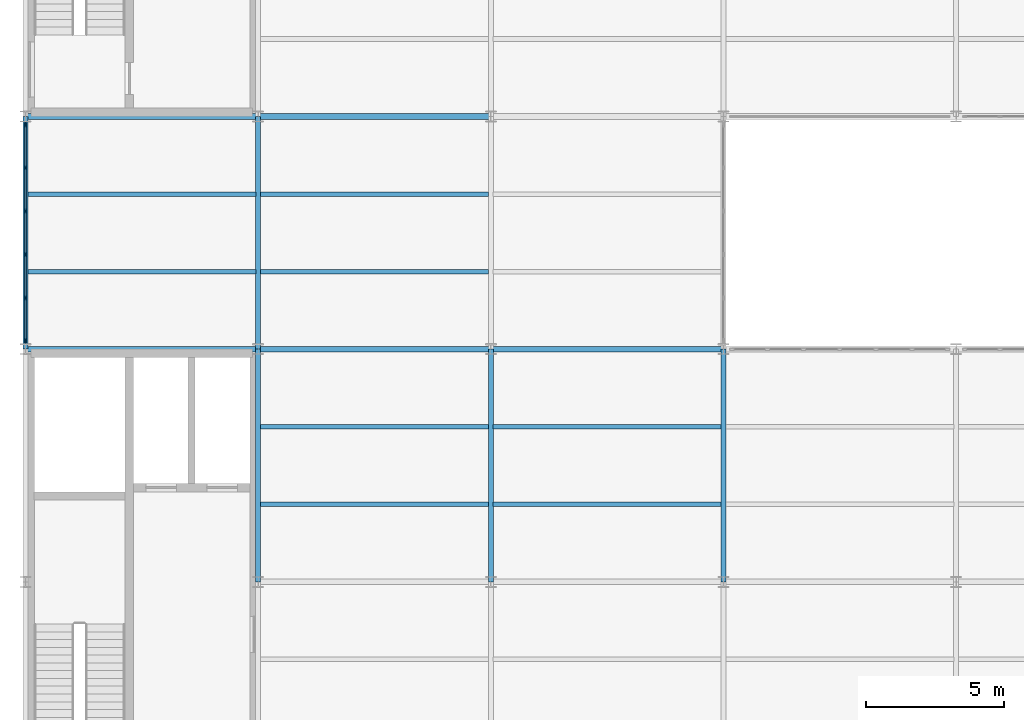
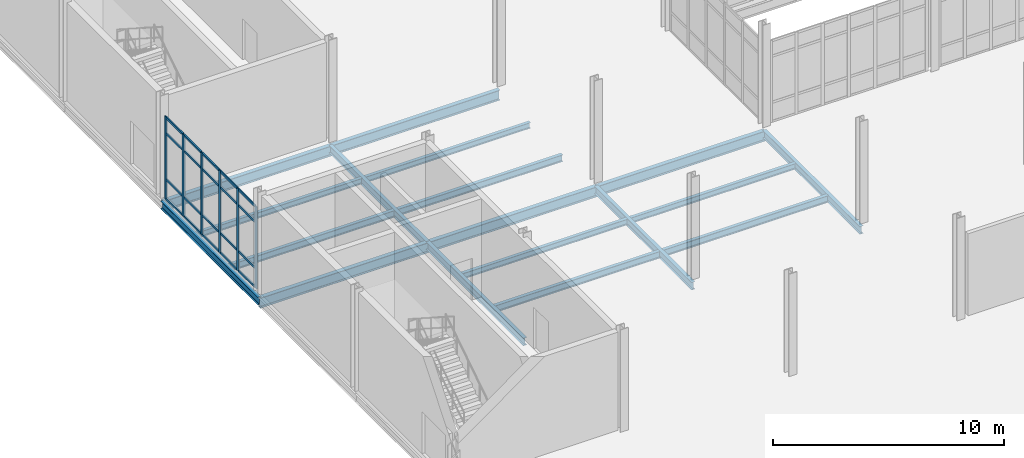
# One storey, part 29 of 111: 26 members, 18 beams, 1 element without a shape of its own.
"""IFC4 building model written with IfcOpenShell, lengths in metres."""

from ifc_helpers import new_model, si_unit, direction, frame, origin, origin_2d, place, context, subcontext, project, spatial, rectangle, i_section, extrude, material, layer, layer_set, material_profile, profile_set, type_object, element, aggregate, save


model = new_model("IFC4")

# Units and contexts
model_context = context("Model", 3, precision=1e-05, world=origin(), true_north=direction((0.0, 1.0)))
body_context = subcontext(model_context, "Body", "Model", "MODEL_VIEW")
ifc_project = project(units=[si_unit("LENGTHUNIT", "METRE"), si_unit("AREAUNIT", "SQUARE_METRE"), si_unit("VOLUMEUNIT", "CUBIC_METRE"), si_unit("PLANEANGLEUNIT", "RADIAN"), si_unit("MASSUNIT", "GRAM", prefix="KILO"), si_unit("THERMODYNAMICTEMPERATUREUNIT", "KELVIN"), si_unit("POWERUNIT", "WATT")], contexts=[model_context])

# Site, building, storey
site_placement = place(None, origin())
site = spatial("IfcSite", under=ifc_project, at=site_placement, CompositionType="ELEMENT")
building_placement = place(site_placement, origin())
building = spatial("IfcBuilding", under=site, at=building_placement, Name="Tembeka Court Mobility Hub", CompositionType="ELEMENT")
storey_placement = place(building_placement, origin())
storey = spatial("IfcBuildingStorey", under=building, at=storey_placement, Name="L00", CompositionType="ELEMENT", Elevation=0.0)

# Beams
ifc_material_1 = material(Name="Steel S355", Category="steel")
ifc_material_profile_1 = material_profile(ifc_material_1, i_section(OverallWidth=0.177978515625, OverallDepth=0.406005859375, WebThickness=0.0078125, FlangeThickness=0.0126953125, FilletRadius=0.01025390625, at=origin_2d()), Name="UKB 406x178x60")
ifc_profile_set_1 = profile_set([ifc_material_profile_1], Name="Steel S355")
beam_type_1 = type_object("IfcBeamType", Name="BM-B02", PredefinedType="BEAM", material=ifc_profile_set_1)
beam_1_placement = place(storey_placement, frame((0.0, 55.199951171875, -0.48291015625), z_axis=(0.0, 1.0, 0.0), x_axis=(-1.0, 0.0, 0.0)))
element("IfcBeam", 1, at=beam_1_placement, inside=storey, type_object=beam_type_1, Name="Beam B02 (BM-L00-Y0169)", PredefinedType="BEAM", context=body_context, shape_type="SweptSolid", body=[
    extrude(i_section(OverallWidth=0.177978515625, OverallDepth=0.406005859375, WebThickness=0.0078125, FlangeThickness=0.0126953125, FilletRadius=0.01025390625, at=origin_2d()), origin(), (0.0, 0.0, 1.0), 8.400146484375),
])
beam_2_placement = place(storey_placement, frame((8.39990234375, 46.800048828125, -0.48291015625), z_axis=(0.0, 1.0, 0.0), x_axis=(-1.0, 0.0, 0.0)))
element("IfcBeam", 2, at=beam_2_placement, inside=storey, type_object=beam_type_1, Name="Beam B02 (BM-L00-Y0179)", PredefinedType="BEAM", context=body_context, shape_type="SweptSolid", body=[
    extrude(i_section(OverallWidth=0.177978515625, OverallDepth=0.406005859375, WebThickness=0.0078125, FlangeThickness=0.0126953125, FilletRadius=0.01025390625, at=origin_2d()), origin(), (0.0, 0.0, 1.0), 8.39990234375),
])
beam_3_placement = place(storey_placement, frame((8.39990234375, 55.199951171875, -0.48291015625), z_axis=(0.0, 1.0, 0.0), x_axis=(-1.0, 0.0, 0.0)))
element("IfcBeam", 3, at=beam_3_placement, inside=storey, type_object=beam_type_1, Name="Beam B02 (BM-L00-Y0180)", PredefinedType="BEAM", context=body_context, shape_type="SweptSolid", body=[
    extrude(i_section(OverallWidth=0.177978515625, OverallDepth=0.406005859375, WebThickness=0.0078125, FlangeThickness=0.0126953125, FilletRadius=0.01025390625, at=origin_2d()), origin(), (0.0, 0.0, 1.0), 8.400146484375),
])
for number, where, z_axis, x_axis, name in (
    (4, (16.800048828125, 46.800048828125, -0.48291015625), (0.0, 1.0, 0.0), (-1.0, 0.0, 0.0), "Beam B02 (BM-L00-Y0190)"),
    (5, (25.199951171875, 46.800048828125, -0.48291015625), (0.0, 1.0, 0.0), (-1.0, 0.0, 0.0), "Beam B02 (BM-L00-Y0199)"),
):
    element("IfcBeam", number, at=place(storey_placement, frame(where, z_axis=z_axis, x_axis=x_axis)), inside=storey, type_object=beam_type_1, Name=name, PredefinedType="BEAM", context=body_context, shape_type="SweptSolid", body=[
        extrude(i_section(OverallWidth=0.177978515625, OverallDepth=0.406005859375, WebThickness=0.0078125, FlangeThickness=0.0126953125, FilletRadius=0.01025390625, at=origin_2d()), origin(), (0.0, 0.0, 1.0), 8.39990234375),
    ])
ifc_material_profile_2 = material_profile(ifc_material_1, i_section(OverallWidth=0.2099609375, OverallDepth=0.537109375, WebThickness=0.0107421875, FlangeThickness=0.017333984375, FilletRadius=0.0126953125, at=origin_2d()), Name="UKB 533x210x101")
ifc_profile_set_2 = profile_set([ifc_material_profile_2], Name="Steel S355")
beam_type_2 = type_object("IfcBeamType", Name="BM-G03", PredefinedType="USERDEFINED", material=ifc_profile_set_2)
beam_4_placement = place(storey_placement, frame((0.0, 55.199951171875, -0.548583984375), z_axis=(1.0, 0.0, 0.0), x_axis=(0.0, 1.0, 0.0)))
element("IfcBeam", 6, at=beam_4_placement, inside=storey, type_object=beam_type_2, Name="Beam G03 (BM-L00-X0075)", ObjectType="GIRDER", PredefinedType="USERDEFINED", context=body_context, shape_type="SweptSolid", body=[
    extrude(i_section(OverallWidth=0.2099609375, OverallDepth=0.537109375, WebThickness=0.0107421875, FlangeThickness=0.017333984375, FilletRadius=0.0126953125, at=origin_2d()), origin(), (0.0, 0.0, 1.0), 8.39990234375),
])
beam_5_placement = place(storey_placement, frame((8.39990234375, 55.199951171875, -0.548583984375), z_axis=(1.0, 0.0, 0.0), x_axis=(0.0, 1.0, 0.0)))
element("IfcBeam", 7, at=beam_5_placement, inside=storey, type_object=beam_type_2, Name="Beam G03 (BM-L00-X0076)", ObjectType="GIRDER", PredefinedType="USERDEFINED", context=body_context, shape_type="SweptSolid", body=[
    extrude(i_section(OverallWidth=0.2099609375, OverallDepth=0.537109375, WebThickness=0.0107421875, FlangeThickness=0.017333984375, FilletRadius=0.0126953125, at=origin_2d()), origin(), (0.0, 0.0, 1.0), 8.400146484375),
])
for number, where, z_axis, x_axis, name in (
    (8, (16.800048828125, 55.199951171875, -0.548583984375), (1.0, 0.0, 0.0), (0.0, 1.0, 0.0), "Beam G03 (BM-L00-X0077)"),
    (9, (0.0, 63.60009765625, -0.548583984375), (1.0, 0.0, 0.0), (0.0, 1.0, 0.0), "Beam G03 (BM-L00-X0090)"),
):
    element("IfcBeam", number, at=place(storey_placement, frame(where, z_axis=z_axis, x_axis=x_axis)), inside=storey, type_object=beam_type_2, Name=name, ObjectType="GIRDER", PredefinedType="USERDEFINED", context=body_context, shape_type="SweptSolid", body=[
        extrude(i_section(OverallWidth=0.2099609375, OverallDepth=0.537109375, WebThickness=0.0107421875, FlangeThickness=0.017333984375, FilletRadius=0.0126953125, at=origin_2d()), origin(), (0.0, 0.0, 1.0), 8.39990234375),
    ])
beam_6_placement = place(storey_placement, frame((8.39990234375, 63.60009765625, -0.548583984375), z_axis=(1.0, 0.0, 0.0), x_axis=(0.0, 1.0, 0.0)))
element("IfcBeam", 10, at=beam_6_placement, inside=storey, type_object=beam_type_2, Name="Beam G03 (BM-L00-X0091)", ObjectType="GIRDER", PredefinedType="USERDEFINED", context=body_context, shape_type="SweptSolid", body=[
    extrude(i_section(OverallWidth=0.2099609375, OverallDepth=0.537109375, WebThickness=0.0107421875, FlangeThickness=0.017333984375, FilletRadius=0.0126953125, at=origin_2d()), origin(), (0.0, 0.0, 1.0), 8.400146484375),
])
ifc_material_profile_3 = material_profile(ifc_material_1, i_section(OverallWidth=0.1650390625, OverallDepth=0.303955078125, WebThickness=0.006103515625, FlangeThickness=0.01025390625, FilletRadius=0.0087890625, at=origin_2d()), Name="UKB 305x165x40")
ifc_profile_set_3 = profile_set([ifc_material_profile_3], Name="Steel S355")
beam_type_3 = type_object("IfcBeamType", Name="BM-J02", PredefinedType="JOIST", material=ifc_profile_set_3)
beam_7_placement = place(storey_placement, frame((0.083984375, 60.800048828125, -0.431884765625), z_axis=(1.0, 0.0, 0.0), x_axis=(0.0, 1.0, 0.0)))
element("IfcBeam", 11, at=beam_7_placement, inside=storey, type_object=beam_type_3, Name="Beam J02 (JST-L00-0332)", PredefinedType="JOIST", context=body_context, shape_type="SweptSolid", body=[
    extrude(i_section(OverallWidth=0.1650390625, OverallDepth=0.303955078125, WebThickness=0.006103515625, FlangeThickness=0.01025390625, FilletRadius=0.0087890625, at=origin_2d()), origin(), (0.0, 0.0, 1.0), 8.23193359375),
])
for number, where, z_axis, x_axis, name in (
    (12, (8.48388671875, 52.39990234375, -0.431884765625), (1.0, 0.0, 0.0), (0.0, 1.0, 0.0), "Beam J02 (JST-L00-0346)"),
    (13, (8.48388671875, 60.800048828125, -0.431884765625), (1.0, 0.0, 0.0), (0.0, 1.0, 0.0), "Beam J02 (JST-L00-0348)"),
):
    element("IfcBeam", number, at=place(storey_placement, frame(where, z_axis=z_axis, x_axis=x_axis)), inside=storey, type_object=beam_type_3, Name=name, PredefinedType="JOIST", context=body_context, shape_type="SweptSolid", body=[
        extrude(i_section(OverallWidth=0.1650390625, OverallDepth=0.303955078125, WebThickness=0.006103515625, FlangeThickness=0.01025390625, FilletRadius=0.0087890625, at=origin_2d()), origin(), (0.0, 0.0, 1.0), 8.232177734375),
    ])
beam_8_placement = place(storey_placement, frame((16.884033203125, 52.39990234375, -0.431884765625), z_axis=(1.0, 0.0, 0.0), x_axis=(0.0, 1.0, 0.0)))
element("IfcBeam", 14, at=beam_8_placement, inside=storey, type_object=beam_type_3, Name="Beam J02 (JST-L00-0366)", PredefinedType="JOIST", context=body_context, shape_type="SweptSolid", body=[
    extrude(i_section(OverallWidth=0.1650390625, OverallDepth=0.303955078125, WebThickness=0.006103515625, FlangeThickness=0.01025390625, FilletRadius=0.0087890625, at=origin_2d()), origin(), (0.0, 0.0, 1.0), 8.23193359375),
])
ifc_material_profile_4 = material_profile(ifc_material_1, i_section(OverallWidth=0.169921875, OverallDepth=0.360107421875, WebThickness=0.008056640625, FlangeThickness=0.0126953125, FilletRadius=0.01806640625, at=origin_2d()), Name="IPE 360")
ifc_profile_set_4 = profile_set([ifc_material_profile_4], Name="Steel S355")
beam_type_4 = type_object("IfcBeamType", Name="BM-J03", PredefinedType="JOIST", material=ifc_profile_set_4)
beam_9_placement = place(storey_placement, frame((0.083984375, 58.0, -0.4599609375), z_axis=(1.0, 0.0, 0.0), x_axis=(0.0, 1.0, 0.0)))
element("IfcBeam", 15, at=beam_9_placement, inside=storey, type_object=beam_type_4, Name="Beam J03 (JST-L00-0331)", PredefinedType="JOIST", context=body_context, shape_type="SweptSolid", body=[
    extrude(i_section(OverallWidth=0.169921875, OverallDepth=0.360107421875, WebThickness=0.008056640625, FlangeThickness=0.0126953125, FilletRadius=0.01806640625, at=origin_2d()), origin(), (0.0, 0.0, 1.0), 8.23193359375),
])
for number, where, z_axis, x_axis, name in (
    (16, (8.48388671875, 49.60009765625, -0.4599609375), (1.0, 0.0, 0.0), (0.0, 1.0, 0.0), "Beam J03 (JST-L00-0345)"),
    (17, (8.48388671875, 58.0, -0.4599609375), (1.0, 0.0, 0.0), (0.0, 1.0, 0.0), "Beam J03 (JST-L00-0347)"),
):
    element("IfcBeam", number, at=place(storey_placement, frame(where, z_axis=z_axis, x_axis=x_axis)), inside=storey, type_object=beam_type_4, Name=name, PredefinedType="JOIST", context=body_context, shape_type="SweptSolid", body=[
        extrude(i_section(OverallWidth=0.169921875, OverallDepth=0.360107421875, WebThickness=0.008056640625, FlangeThickness=0.0126953125, FilletRadius=0.01806640625, at=origin_2d()), origin(), (0.0, 0.0, 1.0), 8.232177734375),
    ])
beam_10_placement = place(storey_placement, frame((16.884033203125, 49.60009765625, -0.4599609375), z_axis=(1.0, 0.0, 0.0), x_axis=(0.0, 1.0, 0.0)))
element("IfcBeam", 18, at=beam_10_placement, inside=storey, type_object=beam_type_4, Name="Beam J03 (JST-L00-0365)", PredefinedType="JOIST", context=body_context, shape_type="SweptSolid", body=[
    extrude(i_section(OverallWidth=0.169921875, OverallDepth=0.360107421875, WebThickness=0.008056640625, FlangeThickness=0.0126953125, FilletRadius=0.01806640625, at=origin_2d()), origin(), (0.0, 0.0, 1.0), 8.23193359375),
])

# Curtain wall, members
ifc_material_2 = material(Name="Anodised aluminium 6063-T6", Category="aluminium")
ifc_layer = layer(ifc_material_2, 0.159912109375)
ifc_layer_set = layer_set([ifc_layer], Name="Anodised aluminium 6063-T6")
curtain_wall_type = type_object("IfcCurtainWallType", Name="CW-SYS01", PredefinedType="USERDEFINED", material=ifc_layer_set)
curtain_wall_placement = place(storey_placement, origin())
curtain_wall = element("IfcCurtainWall", 19, at=curtain_wall_placement, inside=storey, type_object=curtain_wall_type, Name="Unitised curtain wall CW01 (CW-L00-028)", ObjectType="UNITISED GLAZING", PredefinedType="USERDEFINED")
ifc_material_profile_5 = material_profile(ifc_material_2, rectangle(XDim=0.06494140625, YDim=0.159912109375, at=origin_2d()), Name="ALU-MUL 65x160")
ifc_profile_set_5 = profile_set([ifc_material_profile_5], Name="Anodised aluminium 6063-T6")
member_type_1 = type_object("IfcMemberType", Name="CW-MUL01", PredefinedType="MULLION", material=ifc_profile_set_5)
member_1_placement = place(storey_placement, frame((0.0, 55.512451171875, 0.0), z_axis=(0.0, 0.0, 1.0), x_axis=(-1.0, 0.0, 0.0)))
member_1 = element("IfcMember", 20, at=member_1_placement, type_object=member_type_1, Name="CW01 mullion 1", PredefinedType="MULLION", context=body_context, shape_type="SweptSolid", body=[
    extrude(rectangle(XDim=0.06494140625, YDim=0.159912109375, at=origin_2d()), origin(), (0.0, 0.0, 1.0), 4.3349609375),
])
member_2_placement = place(storey_placement, frame((0.0, 57.048095703125, 0.0), z_axis=(0.0, 0.0, 1.0), x_axis=(-1.0, 0.0, 0.0)))
member_2 = element("IfcMember", 21, at=member_2_placement, type_object=member_type_1, Name="CW01 mullion 2", PredefinedType="MULLION", context=body_context, shape_type="SweptSolid", body=[
    extrude(rectangle(XDim=0.06494140625, YDim=0.159912109375, at=origin_2d()), origin(), (0.0, 0.0, 1.0), 4.3349609375),
])
member_3_placement = place(storey_placement, frame((0.0, 58.615966796875, 0.0), z_axis=(0.0, 0.0, 1.0), x_axis=(-1.0, 0.0, 0.0)))
member_3 = element("IfcMember", 22, at=member_3_placement, type_object=member_type_1, Name="CW01 mullion 3", PredefinedType="MULLION", context=body_context, shape_type="SweptSolid", body=[
    extrude(rectangle(XDim=0.06494140625, YDim=0.159912109375, at=origin_2d()), origin(), (0.0, 0.0, 1.0), 4.3349609375),
])
member_4_placement = place(storey_placement, frame((0.0, 60.18408203125, 0.0), z_axis=(0.0, 0.0, 1.0), x_axis=(-1.0, 0.0, 0.0)))
member_4 = element("IfcMember", 23, at=member_4_placement, type_object=member_type_1, Name="CW01 mullion 4", PredefinedType="MULLION", context=body_context, shape_type="SweptSolid", body=[
    extrude(rectangle(XDim=0.06494140625, YDim=0.159912109375, at=origin_2d()), origin(), (0.0, 0.0, 1.0), 4.3349609375),
])
member_5_placement = place(storey_placement, frame((0.0, 61.751953125, 0.0), z_axis=(0.0, 0.0, 1.0), x_axis=(-1.0, 0.0, 0.0)))
member_5 = element("IfcMember", 24, at=member_5_placement, type_object=member_type_1, Name="CW01 mullion 5", PredefinedType="MULLION", context=body_context, shape_type="SweptSolid", body=[
    extrude(rectangle(XDim=0.06494140625, YDim=0.159912109375, at=origin_2d()), origin(), (0.0, 0.0, 1.0), 4.3349609375),
])
member_6_placement = place(storey_placement, frame((0.0, 63.28759765625, 0.0), z_axis=(0.0, 0.0, 1.0), x_axis=(-1.0, 0.0, 0.0)))
member_6 = element("IfcMember", 25, at=member_6_placement, type_object=member_type_1, Name="CW01 mullion 6", PredefinedType="MULLION", context=body_context, shape_type="SweptSolid", body=[
    extrude(rectangle(XDim=0.06494140625, YDim=0.159912109375, at=origin_2d()), origin(), (0.0, 0.0, 1.0), 4.3349609375),
])
ifc_material_profile_6 = material_profile(ifc_material_2, rectangle(XDim=0.06494140625, YDim=0.1201171875, at=origin_2d()), Name="ALU-TRN 65x120")
ifc_profile_set_6 = profile_set([ifc_material_profile_6], Name="Anodised aluminium 6063-T6")
member_type_2 = type_object("IfcMemberType", Name="CW-TRN01", PredefinedType="USERDEFINED", material=ifc_profile_set_6)
member_7_placement = place(storey_placement, frame((0.0, 55.544921875, 0.032470703125), z_axis=(0.0, 1.0, 0.0), x_axis=(-1.0, 0.0, 0.0)))
member_7 = element("IfcMember", 26, at=member_7_placement, type_object=member_type_2, Name="CW01 transom 1.1", ObjectType="TRANSOM", PredefinedType="USERDEFINED", context=body_context, shape_type="SweptSolid", body=[
    extrude(rectangle(XDim=0.06494140625, YDim=0.1201171875, at=origin_2d()), origin(), (0.0, 0.0, 1.0), 1.470458984375),
])
member_8_placement = place(storey_placement, frame((0.0, 55.544921875, 1.050048828125), z_axis=(0.0, 1.0, 0.0), x_axis=(-1.0, 0.0, 0.0)))
member_8 = element("IfcMember", 27, at=member_8_placement, type_object=member_type_2, Name="CW01 transom 1.2", ObjectType="TRANSOM", PredefinedType="USERDEFINED", context=body_context, shape_type="SweptSolid", body=[
    extrude(rectangle(XDim=0.06494140625, YDim=0.1201171875, at=origin_2d()), origin(), (0.0, 0.0, 1.0), 1.470458984375),
])
member_9_placement = place(storey_placement, frame((0.0, 55.544921875, 3.485107421875), z_axis=(0.0, 1.0, 0.0), x_axis=(-1.0, 0.0, 0.0)))
member_9 = element("IfcMember", 28, at=member_9_placement, type_object=member_type_2, Name="CW01 transom 1.3", ObjectType="TRANSOM", PredefinedType="USERDEFINED", context=body_context, shape_type="SweptSolid", body=[
    extrude(rectangle(XDim=0.06494140625, YDim=0.1201171875, at=origin_2d()), origin(), (0.0, 0.0, 1.0), 1.470458984375),
])
member_10_placement = place(storey_placement, frame((0.0, 55.544921875, 4.302490234375), z_axis=(0.0, 1.0, 0.0), x_axis=(-1.0, 0.0, 0.0)))
member_10 = element("IfcMember", 29, at=member_10_placement, type_object=member_type_2, Name="CW01 transom 1.4", ObjectType="TRANSOM", PredefinedType="USERDEFINED", context=body_context, shape_type="SweptSolid", body=[
    extrude(rectangle(XDim=0.06494140625, YDim=0.1201171875, at=origin_2d()), origin(), (0.0, 0.0, 1.0), 1.470458984375),
])
member_11_placement = place(storey_placement, frame((0.0, 57.08056640625, 0.032470703125), z_axis=(0.0, 1.0, 0.0), x_axis=(-1.0, 0.0, 0.0)))
member_11 = element("IfcMember", 30, at=member_11_placement, type_object=member_type_2, Name="CW01 transom 2.1", ObjectType="TRANSOM", PredefinedType="USERDEFINED", context=body_context, shape_type="SweptSolid", body=[
    extrude(rectangle(XDim=0.06494140625, YDim=0.1201171875, at=origin_2d()), origin(), (0.0, 0.0, 1.0), 1.5029296875),
])
member_12_placement = place(storey_placement, frame((0.0, 57.08056640625, 1.050048828125), z_axis=(0.0, 1.0, 0.0), x_axis=(-1.0, 0.0, 0.0)))
member_12 = element("IfcMember", 31, at=member_12_placement, type_object=member_type_2, Name="CW01 transom 2.2", ObjectType="TRANSOM", PredefinedType="USERDEFINED", context=body_context, shape_type="SweptSolid", body=[
    extrude(rectangle(XDim=0.06494140625, YDim=0.1201171875, at=origin_2d()), origin(), (0.0, 0.0, 1.0), 1.5029296875),
])
member_13_placement = place(storey_placement, frame((0.0, 57.08056640625, 3.485107421875), z_axis=(0.0, 1.0, 0.0), x_axis=(-1.0, 0.0, 0.0)))
member_13 = element("IfcMember", 32, at=member_13_placement, type_object=member_type_2, Name="CW01 transom 2.3", ObjectType="TRANSOM", PredefinedType="USERDEFINED", context=body_context, shape_type="SweptSolid", body=[
    extrude(rectangle(XDim=0.06494140625, YDim=0.1201171875, at=origin_2d()), origin(), (0.0, 0.0, 1.0), 1.5029296875),
])
member_14_placement = place(storey_placement, frame((0.0, 57.08056640625, 4.302490234375), z_axis=(0.0, 1.0, 0.0), x_axis=(-1.0, 0.0, 0.0)))
member_14 = element("IfcMember", 33, at=member_14_placement, type_object=member_type_2, Name="CW01 transom 2.4", ObjectType="TRANSOM", PredefinedType="USERDEFINED", context=body_context, shape_type="SweptSolid", body=[
    extrude(rectangle(XDim=0.06494140625, YDim=0.1201171875, at=origin_2d()), origin(), (0.0, 0.0, 1.0), 1.5029296875),
])
member_15_placement = place(storey_placement, frame((0.0, 58.6484375, 0.032470703125), z_axis=(0.0, 1.0, 0.0), x_axis=(-1.0, 0.0, 0.0)))
member_15 = element("IfcMember", 34, at=member_15_placement, type_object=member_type_2, Name="CW01 transom 3.1", ObjectType="TRANSOM", PredefinedType="USERDEFINED", context=body_context, shape_type="SweptSolid", body=[
    extrude(rectangle(XDim=0.06494140625, YDim=0.1201171875, at=origin_2d()), origin(), (0.0, 0.0, 1.0), 1.503173828125),
])
member_16_placement = place(storey_placement, frame((0.0, 58.6484375, 1.050048828125), z_axis=(0.0, 1.0, 0.0), x_axis=(-1.0, 0.0, 0.0)))
member_16 = element("IfcMember", 35, at=member_16_placement, type_object=member_type_2, Name="CW01 transom 3.2", ObjectType="TRANSOM", PredefinedType="USERDEFINED", context=body_context, shape_type="SweptSolid", body=[
    extrude(rectangle(XDim=0.06494140625, YDim=0.1201171875, at=origin_2d()), origin(), (0.0, 0.0, 1.0), 1.503173828125),
])
member_17_placement = place(storey_placement, frame((0.0, 58.6484375, 3.485107421875), z_axis=(0.0, 1.0, 0.0), x_axis=(-1.0, 0.0, 0.0)))
member_17 = element("IfcMember", 36, at=member_17_placement, type_object=member_type_2, Name="CW01 transom 3.3", ObjectType="TRANSOM", PredefinedType="USERDEFINED", context=body_context, shape_type="SweptSolid", body=[
    extrude(rectangle(XDim=0.06494140625, YDim=0.1201171875, at=origin_2d()), origin(), (0.0, 0.0, 1.0), 1.503173828125),
])
member_18_placement = place(storey_placement, frame((0.0, 58.6484375, 4.302490234375), z_axis=(0.0, 1.0, 0.0), x_axis=(-1.0, 0.0, 0.0)))
member_18 = element("IfcMember", 37, at=member_18_placement, type_object=member_type_2, Name="CW01 transom 3.4", ObjectType="TRANSOM", PredefinedType="USERDEFINED", context=body_context, shape_type="SweptSolid", body=[
    extrude(rectangle(XDim=0.06494140625, YDim=0.1201171875, at=origin_2d()), origin(), (0.0, 0.0, 1.0), 1.503173828125),
])
member_19_placement = place(storey_placement, frame((0.0, 60.216552734375, 0.032470703125), z_axis=(0.0, 1.0, 0.0), x_axis=(-1.0, 0.0, 0.0)))
member_19 = element("IfcMember", 38, at=member_19_placement, type_object=member_type_2, Name="CW01 transom 4.1", ObjectType="TRANSOM", PredefinedType="USERDEFINED", context=body_context, shape_type="SweptSolid", body=[
    extrude(rectangle(XDim=0.06494140625, YDim=0.1201171875, at=origin_2d()), origin(), (0.0, 0.0, 1.0), 1.5029296875),
])
member_20_placement = place(storey_placement, frame((0.0, 60.216552734375, 1.050048828125), z_axis=(0.0, 1.0, 0.0), x_axis=(-1.0, 0.0, 0.0)))
member_20 = element("IfcMember", 39, at=member_20_placement, type_object=member_type_2, Name="CW01 transom 4.2", ObjectType="TRANSOM", PredefinedType="USERDEFINED", context=body_context, shape_type="SweptSolid", body=[
    extrude(rectangle(XDim=0.06494140625, YDim=0.1201171875, at=origin_2d()), origin(), (0.0, 0.0, 1.0), 1.5029296875),
])
member_21_placement = place(storey_placement, frame((0.0, 60.216552734375, 3.485107421875), z_axis=(0.0, 1.0, 0.0), x_axis=(-1.0, 0.0, 0.0)))
member_21 = element("IfcMember", 40, at=member_21_placement, type_object=member_type_2, Name="CW01 transom 4.3", ObjectType="TRANSOM", PredefinedType="USERDEFINED", context=body_context, shape_type="SweptSolid", body=[
    extrude(rectangle(XDim=0.06494140625, YDim=0.1201171875, at=origin_2d()), origin(), (0.0, 0.0, 1.0), 1.5029296875),
])
member_22_placement = place(storey_placement, frame((0.0, 60.216552734375, 4.302490234375), z_axis=(0.0, 1.0, 0.0), x_axis=(-1.0, 0.0, 0.0)))
member_22 = element("IfcMember", 41, at=member_22_placement, type_object=member_type_2, Name="CW01 transom 4.4", ObjectType="TRANSOM", PredefinedType="USERDEFINED", context=body_context, shape_type="SweptSolid", body=[
    extrude(rectangle(XDim=0.06494140625, YDim=0.1201171875, at=origin_2d()), origin(), (0.0, 0.0, 1.0), 1.5029296875),
])
member_23_placement = place(storey_placement, frame((0.0, 61.784423828125, 0.032470703125), z_axis=(0.0, 1.0, 0.0), x_axis=(-1.0, 0.0, 0.0)))
member_23 = element("IfcMember", 42, at=member_23_placement, type_object=member_type_2, Name="CW01 transom 5.1", ObjectType="TRANSOM", PredefinedType="USERDEFINED", context=body_context, shape_type="SweptSolid", body=[
    extrude(rectangle(XDim=0.06494140625, YDim=0.1201171875, at=origin_2d()), origin(), (0.0, 0.0, 1.0), 1.470458984375),
])
member_24_placement = place(storey_placement, frame((0.0, 61.784423828125, 1.050048828125), z_axis=(0.0, 1.0, 0.0), x_axis=(-1.0, 0.0, 0.0)))
member_24 = element("IfcMember", 43, at=member_24_placement, type_object=member_type_2, Name="CW01 transom 5.2", ObjectType="TRANSOM", PredefinedType="USERDEFINED", context=body_context, shape_type="SweptSolid", body=[
    extrude(rectangle(XDim=0.06494140625, YDim=0.1201171875, at=origin_2d()), origin(), (0.0, 0.0, 1.0), 1.470458984375),
])
member_25_placement = place(storey_placement, frame((0.0, 61.784423828125, 3.485107421875), z_axis=(0.0, 1.0, 0.0), x_axis=(-1.0, 0.0, 0.0)))
member_25 = element("IfcMember", 44, at=member_25_placement, type_object=member_type_2, Name="CW01 transom 5.3", ObjectType="TRANSOM", PredefinedType="USERDEFINED", context=body_context, shape_type="SweptSolid", body=[
    extrude(rectangle(XDim=0.06494140625, YDim=0.1201171875, at=origin_2d()), origin(), (0.0, 0.0, 1.0), 1.470458984375),
])
member_26_placement = place(storey_placement, frame((0.0, 61.784423828125, 4.302490234375), z_axis=(0.0, 1.0, 0.0), x_axis=(-1.0, 0.0, 0.0)))
member_26 = element("IfcMember", 45, at=member_26_placement, type_object=member_type_2, Name="CW01 transom 5.4", ObjectType="TRANSOM", PredefinedType="USERDEFINED", context=body_context, shape_type="SweptSolid", body=[
    extrude(rectangle(XDim=0.06494140625, YDim=0.1201171875, at=origin_2d()), origin(), (0.0, 0.0, 1.0), 1.470458984375),
])
aggregate(curtain_wall, [member_1, member_2, member_3, member_4, member_5, member_6, member_7, member_8, member_9, member_10, member_11, member_12, member_13, member_14, member_15, member_16, member_17, member_18, member_19, member_20, member_21, member_22, member_23, member_24, member_25, member_26])

save(model, "model.ifc")
